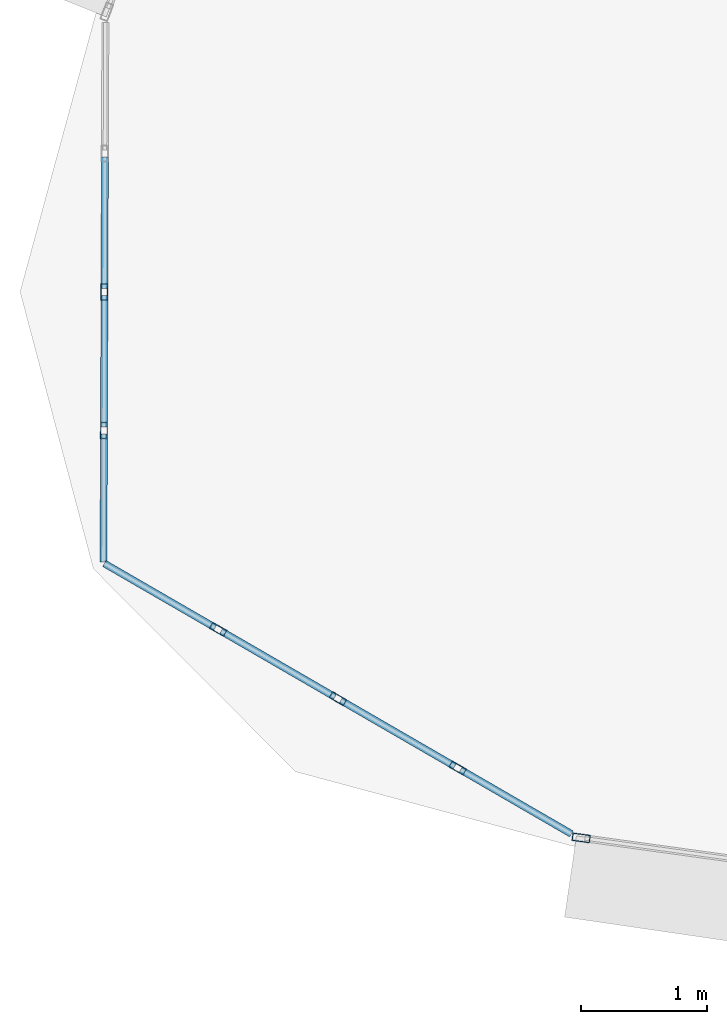
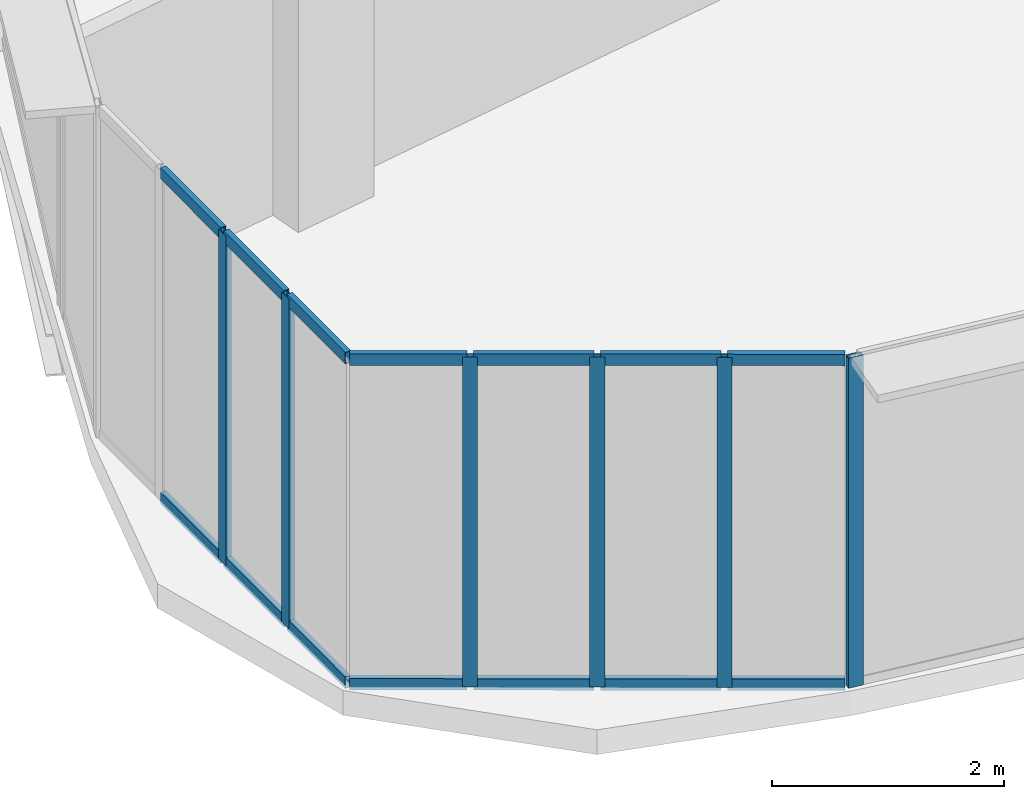
# One storey, part 2 of 36: 20 members, 3 elements without a shape of their own.
"""IFC4 building model written with IfcOpenShell, lengths in metres."""

from ifc_helpers import new_model, si_unit, direction, frame, origin, origin_2d, place, context, subcontext, project, spatial, hollow_rectangle, extrude, source, transform, mapped, material, layer, layer_set, material_profile, profile_set, type_object, element, aggregate, save


model = new_model("IFC4")

# Units and contexts
model_context = context("Model", 3, precision=1e-05, world=origin(), true_north=direction((0.0, 1.0)))
body_context = subcontext(model_context, "Body", "Model", "MODEL_VIEW")
ifc_project = project(units=[si_unit("LENGTHUNIT", "METRE"), si_unit("AREAUNIT", "SQUARE_METRE"), si_unit("VOLUMEUNIT", "CUBIC_METRE"), si_unit("PLANEANGLEUNIT", "RADIAN"), si_unit("MASSUNIT", "GRAM", prefix="KILO"), si_unit("THERMODYNAMICTEMPERATUREUNIT", "KELVIN"), si_unit("POWERUNIT", "WATT")], contexts=[model_context])

# Site, building, storey
site_placement = place(None, origin())
site = spatial("IfcSite", under=ifc_project, at=site_placement, CompositionType="ELEMENT")
building_placement = place(site_placement, origin())
building = spatial("IfcBuilding", under=site, at=building_placement, Name="Yunzhuo Pagoda Commons", CompositionType="ELEMENT")
storey_placement = place(building_placement, frame((0.0, 0.0, 244.530029296875)))
storey = spatial("IfcBuildingStorey", under=building, at=storey_placement, Name="L61", CompositionType="ELEMENT", Elevation=244.530029296875)

# Curtain wall, member
ifc_material = material(Name="Anodized aluminium 6063-T6", Category="aluminium")
ifc_layer_1 = layer(ifc_material, 0.139892578125)
ifc_layer_set_1 = layer_set([ifc_layer_1], Name="Anodized aluminium 6063-T6")
curtain_wall_type_1 = type_object("IfcCurtainWallType", Name="CW-HI High-Zone Ribbon Curtain Wall", PredefinedType="NOTDEFINED", material=ifc_layer_set_1)
curtain_wall_1_placement = place(storey_placement, origin())
curtain_wall_1 = element("IfcCurtainWall", 1, at=curtain_wall_1_placement, inside=storey, type_object=curtain_wall_type_1, Name="L61 curtain wall CW-L61-F1B1", PredefinedType="NOTDEFINED")
ifc_material_profile_1 = material_profile(ifc_material, hollow_rectangle(XDim=0.06005859375, YDim=0.139892578125, WallThickness=0.00341796875, at=origin_2d()), Name="Anodized aluminium 6063-T6")
ifc_profile_set_1 = profile_set([ifc_material_profile_1], Name="Anodized aluminium 6063-T6")
member_type_1 = type_object("IfcMemberType", Name="CW-HI-M Mullion RHS 140x60x3.5", PredefinedType="MULLION", material=ifc_profile_set_1)
shared_shape_1 = source(origin(), body_context, "Body", "SweptSolid", [
    extrude(hollow_rectangle(XDim=0.06005859375, YDim=0.139892578125, WallThickness=0.00341796875, at=origin_2d()), origin(), (0.0, 0.0, 1.0), 3.469970703125),
])
member_1_placement = place(storey_placement, frame((16.4755859375, 19.29833984375, 0.0), z_axis=(0.0, 0.0, 1.0), x_axis=(0.137250412651, 0.990536382082, 0.0)))
member_1 = element("IfcMember", 2, at=member_1_placement, type_object=member_type_1, Name="CW mullion 1", PredefinedType="MULLION", context=body_context, shape_type="MappedRepresentation", body=[
    mapped(shared_shape_1, transform((0.0, 0.0, 0.0), scale=1.0)),
])
aggregate(curtain_wall_1, [member_1])

# Curtain wall, members
ifc_layer_2 = layer(ifc_material, 0.1298828125)
ifc_layer_set_2 = layer_set([ifc_layer_2], Name="Anodized aluminium 6063-T6")
curtain_wall_type_2 = type_object("IfcCurtainWallType", Name="CW-VTX Rounded Corner Curtain Wall", PredefinedType="NOTDEFINED", material=ifc_layer_set_2)
curtain_wall_2_placement = place(storey_placement, origin())
curtain_wall_2 = element("IfcCurtainWall", 3, at=curtain_wall_2_placement, inside=storey, type_object=curtain_wall_type_2, Name="L61 curtain wall CW-L61-VTX1S2", PredefinedType="NOTDEFINED")
ifc_material_profile_2 = material_profile(ifc_material, hollow_rectangle(XDim=0.054931640625, YDim=0.1201171875, WallThickness=0.00341796875, at=origin_2d()), Name="Anodized aluminium 6063-T6")
ifc_profile_set_2 = profile_set([ifc_material_profile_2], Name="Anodized aluminium 6063-T6")
member_type_2 = type_object("IfcMemberType", Name="CW-VTX-T Transom RHS 120x55x3.5", PredefinedType="USERDEFINED", material=ifc_profile_set_2)
shared_shape_2 = source(origin(), body_context, "Body", "SweptSolid", [
    extrude(hollow_rectangle(XDim=0.054931640625, YDim=0.1201171875, WallThickness=0.00341796875, at=origin_2d()), origin(), (0.0, 0.0, 1.0), 1.011962890625),
])
member_2_placement = place(storey_placement, frame((15.5224609375, 19.837158203125, 0.027587890625), z_axis=(0.865393248242, -0.501093330526, 0.0), x_axis=(0.501093330526, 0.865393248242, 0.0)))
member_2 = element("IfcMember", 4, at=member_2_placement, type_object=member_type_2, Name="CW transom 4.1", ObjectType="TRANSOM", PredefinedType="USERDEFINED", context=body_context, shape_type="MappedRepresentation", body=[
    mapped(shared_shape_2, transform((0.0, 0.0, 0.0), scale=1.0)),
])
member_3_placement = place(storey_placement, frame((15.5224609375, 19.837158203125, 3.4423828125), z_axis=(0.865393248242, -0.501093330526, 0.0), x_axis=(0.501093330526, 0.865393248242, 0.0)))
member_3 = element("IfcMember", 5, at=member_3_placement, type_object=member_type_2, Name="CW transom 4.2", ObjectType="TRANSOM", PredefinedType="USERDEFINED", context=body_context, shape_type="MappedRepresentation", body=[
    mapped(shared_shape_2, transform((0.0, 0.0, 0.0), scale=1.0)),
])

curtain_wall_3_placement = place(storey_placement, origin())
curtain_wall_3 = element("IfcCurtainWall", 6, at=curtain_wall_3_placement, inside=storey, type_object=curtain_wall_type_2, Name="L61 curtain wall CW-L61-VTX1S1", PredefinedType="NOTDEFINED")
shared_shape_3 = source(origin(), body_context, "Body", "SweptSolid", [
    extrude(hollow_rectangle(XDim=0.054931640625, YDim=0.1201171875, WallThickness=0.00341796875, at=origin_2d()), origin(), (0.0, 0.0, 1.0), 1.039794921875),
])
member_4_placement = place(storey_placement, frame((12.708251953125, 24.683349609375, 0.027587890625), z_axis=(-0.003756723901, -0.999992943488, 0.0), x_axis=(0.999992943488, -0.003756723901, 0.0)))
member_4 = element("IfcMember", 7, at=member_4_placement, type_object=member_type_2, Name="CW transom 2.1", ObjectType="TRANSOM", PredefinedType="USERDEFINED", context=body_context, shape_type="MappedRepresentation", body=[
    mapped(shared_shape_3, transform((0.0, 0.0, 0.0), scale=1.0)),
])
member_5_placement = place(storey_placement, frame((12.708251953125, 24.683349609375, 3.4423828125), z_axis=(-0.003756723901, -0.999992943488, 0.0), x_axis=(0.999992943488, -0.003756723901, 0.0)))
member_5 = element("IfcMember", 8, at=member_5_placement, type_object=member_type_2, Name="CW transom 2.2", ObjectType="TRANSOM", PredefinedType="USERDEFINED", context=body_context, shape_type="MappedRepresentation", body=[
    mapped(shared_shape_3, transform((0.0, 0.0, 0.0), scale=1.0)),
])
member_6_placement = place(storey_placement, frame((12.704345703125, 23.588623046875, 0.027587890625), z_axis=(-0.003521931667, -0.999993797979, 0.0), x_axis=(0.999993797979, -0.003521931667, 0.0)))
member_6 = element("IfcMember", 9, at=member_6_placement, type_object=member_type_2, Name="CW transom 3.1", ObjectType="TRANSOM", PredefinedType="USERDEFINED", context=body_context, shape_type="MappedRepresentation", body=[
    mapped(shared_shape_3, transform((0.0, 0.0, 0.0), scale=1.0)),
])
member_7_placement = place(storey_placement, frame((12.704345703125, 23.588623046875, 3.4423828125), z_axis=(-0.003521931667, -0.999993797979, 0.0), x_axis=(0.999993797979, -0.003521931667, 0.0)))
member_7 = element("IfcMember", 10, at=member_7_placement, type_object=member_type_2, Name="CW transom 3.2", ObjectType="TRANSOM", PredefinedType="USERDEFINED", context=body_context, shape_type="MappedRepresentation", body=[
    mapped(shared_shape_3, transform((0.0, 0.0, 0.0), scale=1.0)),
])
shared_shape_4 = source(origin(), body_context, "Body", "SweptSolid", [
    extrude(hollow_rectangle(XDim=0.054931640625, YDim=0.1201171875, WallThickness=0.00341796875, at=origin_2d()), origin(), (0.0, 0.0, 1.0), 1.01220703125),
])
member_8_placement = place(storey_placement, frame((12.70068359375, 22.494140625, 0.027587890625), z_axis=(-0.003859112604, -0.999992553597, 0.0), x_axis=(0.999992553597, -0.003859112604, 0.0)))
member_8 = element("IfcMember", 11, at=member_8_placement, type_object=member_type_2, Name="CW transom 4.1", ObjectType="TRANSOM", PredefinedType="USERDEFINED", context=body_context, shape_type="MappedRepresentation", body=[
    mapped(shared_shape_4, transform((0.0, 0.0, 0.0), scale=1.0)),
])
member_9_placement = place(storey_placement, frame((12.70068359375, 22.494140625, 3.4423828125), z_axis=(-0.003859112604, -0.999992553597, 0.0), x_axis=(0.999992553597, -0.003859112604, 0.0)))
member_9 = element("IfcMember", 12, at=member_9_placement, type_object=member_type_2, Name="CW transom 4.2", ObjectType="TRANSOM", PredefinedType="USERDEFINED", context=body_context, shape_type="MappedRepresentation", body=[
    mapped(shared_shape_4, transform((0.0, 0.0, 0.0), scale=1.0)),
])

# Member
member_10_placement = place(storey_placement, frame((12.7041015625, 21.46875, 0.027587890625), z_axis=(0.865453807894, -0.500988728817, 0.0), x_axis=(0.500988728817, 0.865453807894, 0.0)))
member_10 = element("IfcMember", 13, at=member_10_placement, type_object=member_type_2, Name="CW transom 1.1", ObjectType="TRANSOM", PredefinedType="USERDEFINED", context=body_context, shape_type="MappedRepresentation", body=[
    mapped(shared_shape_4, transform((0.0, 0.0, 0.0), scale=1.0)),
])

member_11_placement = place(storey_placement, frame((12.7041015625, 21.46875, 3.4423828125), z_axis=(0.865453807894, -0.500988728817, 0.0), x_axis=(0.500988728817, 0.865453807894, 0.0)))
member_11 = element("IfcMember", 14, at=member_11_placement, type_object=member_type_2, Name="CW transom 1.2", ObjectType="TRANSOM", PredefinedType="USERDEFINED", context=body_context, shape_type="MappedRepresentation", body=[
    mapped(shared_shape_4, transform((0.0, 0.0, 0.0), scale=1.0)),
])

shared_shape_5 = source(origin(), body_context, "Body", "SweptSolid", [
    extrude(hollow_rectangle(XDim=0.054931640625, YDim=0.1201171875, WallThickness=0.00341796875, at=origin_2d()), origin(), (0.0, 0.0, 1.0), 1.039306640625),
])
member_12_placement = place(storey_placement, frame((13.6279296875, 20.93408203125, 0.027587890625), z_axis=(0.865308332787, -0.501239951729, 0.0), x_axis=(0.501239951729, 0.865308332787, 0.0)))
member_12 = element("IfcMember", 15, at=member_12_placement, type_object=member_type_2, Name="CW transom 2.1", ObjectType="TRANSOM", PredefinedType="USERDEFINED", context=body_context, shape_type="MappedRepresentation", body=[
    mapped(shared_shape_5, transform((0.0, 0.0, 0.0), scale=1.0)),
])

member_13_placement = place(storey_placement, frame((13.6279296875, 20.93408203125, 3.4423828125), z_axis=(0.865308332787, -0.501239951729, 0.0), x_axis=(0.501239951729, 0.865308332787, 0.0)))
member_13 = element("IfcMember", 16, at=member_13_placement, type_object=member_type_2, Name="CW transom 2.2", ObjectType="TRANSOM", PredefinedType="USERDEFINED", context=body_context, shape_type="MappedRepresentation", body=[
    mapped(shared_shape_5, transform((0.0, 0.0, 0.0), scale=1.0)),
])

shared_shape_6 = source(origin(), body_context, "Body", "SweptSolid", [
    extrude(hollow_rectangle(XDim=0.054931640625, YDim=0.1201171875, WallThickness=0.00341796875, at=origin_2d()), origin(), (0.0, 0.0, 1.0), 1.0400390625),
])
member_14_placement = place(storey_placement, frame((14.574951171875, 20.3857421875, 0.027587890625), z_axis=(0.865485207922, -0.500934481613, 0.0), x_axis=(0.500934481613, 0.865485207922, 0.0)))
member_14 = element("IfcMember", 17, at=member_14_placement, type_object=member_type_2, Name="CW transom 3.1", ObjectType="TRANSOM", PredefinedType="USERDEFINED", context=body_context, shape_type="MappedRepresentation", body=[
    mapped(shared_shape_6, transform((0.0, 0.0, 0.0), scale=1.0)),
])

member_15_placement = place(storey_placement, frame((14.574951171875, 20.3857421875, 3.4423828125), z_axis=(0.865485207922, -0.500934481613, 0.0), x_axis=(0.500934481613, 0.865485207922, 0.0)))
member_15 = element("IfcMember", 18, at=member_15_placement, type_object=member_type_2, Name="CW transom 3.2", ObjectType="TRANSOM", PredefinedType="USERDEFINED", context=body_context, shape_type="MappedRepresentation", body=[
    mapped(shared_shape_6, transform((0.0, 0.0, 0.0), scale=1.0)),
])

ifc_material_profile_3 = material_profile(ifc_material, hollow_rectangle(XDim=0.054931640625, YDim=0.1298828125, WallThickness=0.00341796875, at=origin_2d()), Name="Anodized aluminium 6063-T6")
ifc_profile_set_3 = profile_set([ifc_material_profile_3], Name="Anodized aluminium 6063-T6")
member_type_3 = type_object("IfcMemberType", Name="CW-VTX-M Mullion RHS 130x55x3.5", PredefinedType="MULLION", material=ifc_profile_set_3)
shared_shape_7 = source(origin(), body_context, "Body", "SweptSolid", [
    extrude(hollow_rectangle(XDim=0.054931640625, YDim=0.1298828125, WallThickness=0.00341796875, at=origin_2d()), origin(), (0.0, 0.0, 1.0), 3.469970703125),
])
member_16_placement = place(storey_placement, frame((12.704345703125, 23.615966796875, 0.0), z_axis=(0.0, 0.0, 1.0), x_axis=(0.999993571429, -0.003585679809, 0.0)))
member_16 = element("IfcMember", 19, at=member_16_placement, type_object=member_type_3, Name="CW mullion 3", PredefinedType="MULLION", context=body_context, shape_type="MappedRepresentation", body=[
    mapped(shared_shape_7, transform((0.0, 0.0, 0.0), scale=1.0)),
])

member_17_placement = place(storey_placement, frame((12.70068359375, 22.521484375, 0.0), z_axis=(0.0, 0.0, 1.0), x_axis=(0.999993571429, -0.003585679809, 0.0)))
member_17 = element("IfcMember", 20, at=member_17_placement, type_object=member_type_3, Name="CW mullion 4", PredefinedType="MULLION", context=body_context, shape_type="MappedRepresentation", body=[
    mapped(shared_shape_7, transform((0.0, 0.0, 0.0), scale=1.0)),
])

aggregate(curtain_wall_3, [member_16, member_17, member_4, member_5, member_6, member_7, member_8, member_9])

member_18_placement = place(storey_placement, frame((13.60400390625, 20.94775390625, 0.0), z_axis=(0.0, 0.0, 1.0), x_axis=(0.501035370268, 0.865426806692, 0.0)))
member_18 = element("IfcMember", 21, at=member_18_placement, type_object=member_type_3, Name="CW mullion 2", PredefinedType="MULLION", context=body_context, shape_type="MappedRepresentation", body=[
    mapped(shared_shape_7, transform((0.0, 0.0, 0.0), scale=1.0)),
])

member_19_placement = place(storey_placement, frame((14.551513671875, 20.3994140625, 0.0), z_axis=(0.0, 0.0, 1.0), x_axis=(0.501035370268, 0.865426806692, 0.0)))
member_19 = element("IfcMember", 22, at=member_19_placement, type_object=member_type_3, Name="CW mullion 3", PredefinedType="MULLION", context=body_context, shape_type="MappedRepresentation", body=[
    mapped(shared_shape_7, transform((0.0, 0.0, 0.0), scale=1.0)),
])

member_20_placement = place(storey_placement, frame((15.49853515625, 19.850830078125, 0.0), z_axis=(0.0, 0.0, 1.0), x_axis=(0.501035370268, 0.865426806692, 0.0)))
member_20 = element("IfcMember", 23, at=member_20_placement, type_object=member_type_3, Name="CW mullion 4", PredefinedType="MULLION", context=body_context, shape_type="MappedRepresentation", body=[
    mapped(shared_shape_7, transform((0.0, 0.0, 0.0), scale=1.0)),
])

aggregate(curtain_wall_2, [member_18, member_19, member_20, member_10, member_11, member_12, member_13, member_14, member_15, member_2, member_3])

save(model, "model.ifc")
